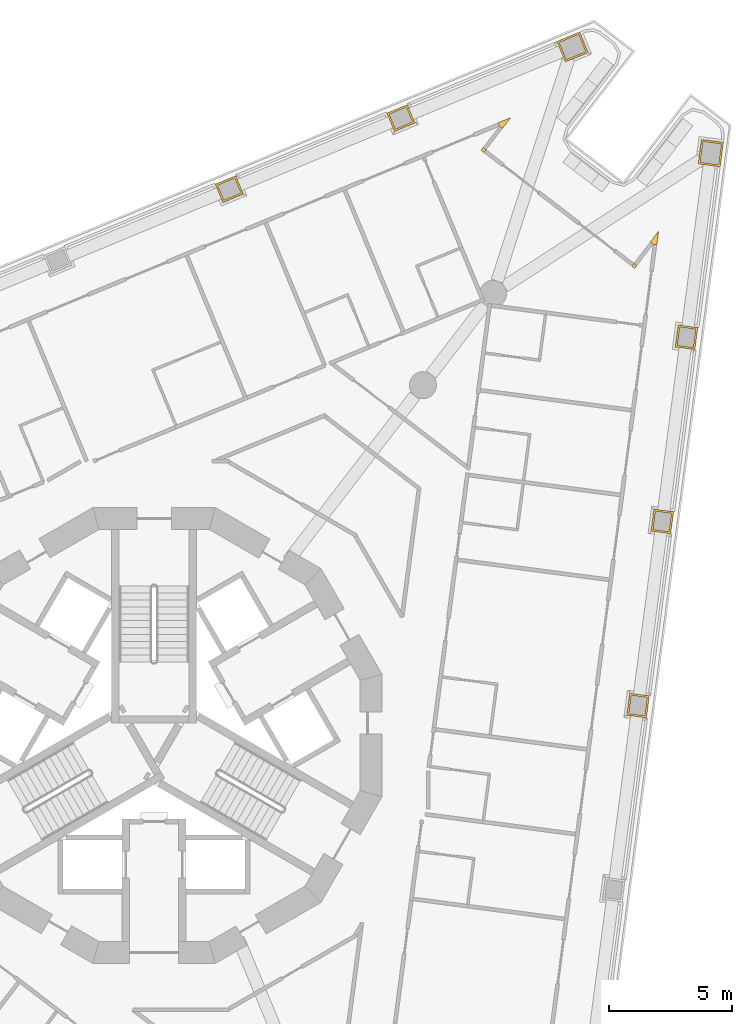
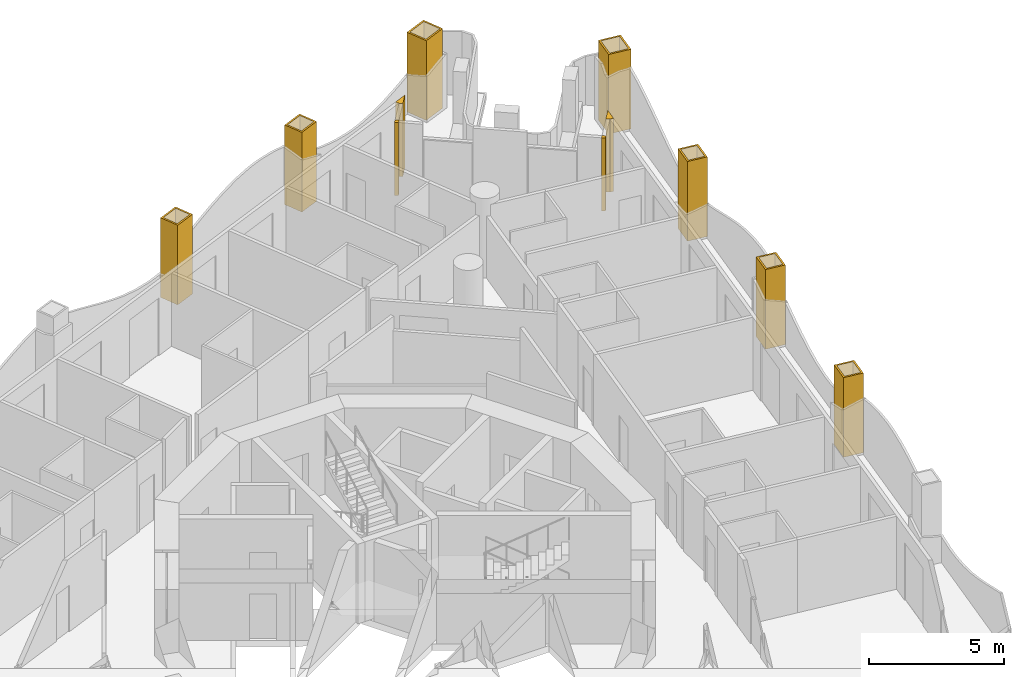
# One storey, part 16 of 17: 11 coverings.
"""IFC4 building model written with IfcOpenShell, lengths in metres."""

from ifc_helpers import new_model, si_unit, direction, frame, origin, place, context, subcontext, project, spatial, polyline, outline, extrude, material, layer, layer_set, type_object, element, save


model = new_model("IFC4")

# Units and contexts
model_context = context("Model", 3, precision=1e-05, world=origin(), true_north=direction((0.0, 1.0)))
body_context = subcontext(model_context, "Body", "Model", "MODEL_VIEW")
ifc_project = project(units=[si_unit("LENGTHUNIT", "METRE"), si_unit("AREAUNIT", "SQUARE_METRE"), si_unit("VOLUMEUNIT", "CUBIC_METRE"), si_unit("PLANEANGLEUNIT", "RADIAN"), si_unit("MASSUNIT", "GRAM", prefix="KILO")], contexts=[model_context])

# Site, building, storey
site_placement = place(None, origin())
site = spatial("IfcSite", under=ifc_project, at=site_placement, CompositionType="ELEMENT")
building_placement = place(site_placement, origin())
building = spatial("IfcBuilding", under=site, at=building_placement, Name="Trine Commons Tower", CompositionType="ELEMENT")
storey_placement = place(building_placement, frame((0.0, 0.0, 149.39990234375)))
storey = spatial("IfcBuildingStorey", under=building, at=storey_placement, Name="L38", CompositionType="ELEMENT", Elevation=149.39990234375)

# Coverings
ifc_material_1 = material(Name="Aluminium-framed insulated wall panel", Category="aluminium")
ifc_layer_1 = layer(ifc_material_1, 0.14990234375)
ifc_layer_set_1 = layer_set([ifc_layer_1], Name="Aluminium-framed insulated wall panel")
covering_type_1 = type_object("IfcCoveringType", Name="Glazing corner post, aluminium", PredefinedType="CLADDING", material=ifc_layer_set_1)
covering_1_placement = place(storey_placement, origin())
element("IfcCovering", 1, at=covering_1_placement, inside=storey, type_object=covering_type_1, Name="Glazing corner post 4-05", PredefinedType="CLADDING", context=body_context, shape_type="SweptSolid", body=[
    extrude(outline(polyline([(94.04248046875, 87.272705078125), (94.04248046875, 87.272705078125), (94.16162109375, 87.181396484375), (94.50244140625, 87.62548828125), (93.985107421875, 87.411376953125), (94.04248046875, 87.272705078125)])), origin(), (0.0, 0.0, 1.0), 3.300048828125),
])
covering_2_placement = place(storey_placement, origin())
element("IfcCovering", 2, at=covering_2_placement, inside=storey, type_object=covering_type_1, Name="Glazing corner post 4-06", PredefinedType="CLADDING", context=body_context, shape_type="SweptSolid", body=[
    extrude(outline(polyline([(93.4091796875, 86.201171875), (93.50048828125, 86.320068359375), (93.381591796875, 86.411376953125), (93.290283203125, 86.29248046875), (93.4091796875, 86.201171875)])), origin(), (0.0, 0.0, 1.0), 3.300048828125),
])
covering_3_placement = place(storey_placement, origin())
element("IfcCovering", 3, at=covering_3_placement, inside=storey, type_object=covering_type_1, Name="Glazing corner post 4-07", PredefinedType="CLADDING", context=body_context, shape_type="SweptSolid", body=[
    extrude(outline(polyline([(99.4228515625, 81.586669921875), (99.5419921875, 81.495361328125), (99.63330078125, 81.614501953125), (99.514404296875, 81.705810546875), (99.4228515625, 81.586669921875)])), origin(), (0.0, 0.0, 1.0), 3.300048828125),
])
covering_4_placement = place(storey_placement, origin())
element("IfcCovering", 4, at=covering_4_placement, inside=storey, type_object=covering_type_1, Name="Glazing corner post 4-08", PredefinedType="CLADDING", context=body_context, shape_type="SweptSolid", body=[
    extrude(outline(polyline([(100.44287109375, 82.456298828125), (100.51611328125, 83.01123046875), (100.17529296875, 82.567138671875), (100.294189453125, 82.475830078125), (100.44287109375, 82.456298828125)])), origin(), (0.0, 0.0, 1.0), 3.300048828125),
])
ifc_material_2 = material(Name="Limestone, honed", Category="masonry")
ifc_layer_2 = layer(ifc_material_2, 0.074951171875)
ifc_layer_set_2 = layer_set([ifc_layer_2], Name="Limestone, honed")
covering_type_2 = type_object("IfcCoveringType", Name="Limestone column cladding 75", PredefinedType="CLADDING", material=ifc_layer_set_2)
covering_5_placement = place(storey_placement, origin())
element("IfcCovering", 5, at=covering_5_placement, inside=storey, type_object=covering_type_2, Name="Limestone pier cladding 4-14", PredefinedType="CLADDING", context=body_context, shape_type="SweptSolid", body=[
    extrude(outline(polyline([(83.62841796875, 84.517822265625), (83.322265625, 85.2568359375), (82.49072265625, 84.912353515625), (82.796875, 84.17333984375), (83.62841796875, 84.517822265625)]), holes=[polyline([(83.5302734375, 84.558349609375), (83.281494140625, 85.158935546875), (82.588623046875, 84.871826171875), (82.83740234375, 84.271240234375), (83.5302734375, 84.558349609375)])]), origin(), (0.0, 0.0, 1.0), 3.60009765625),
])
covering_6_placement = place(storey_placement, origin())
element("IfcCovering", 6, at=covering_6_placement, inside=storey, type_object=covering_type_2, Name="Limestone pier cladding 4-15", PredefinedType="CLADDING", context=body_context, shape_type="SweptSolid", body=[
    extrude(outline(polyline([(90.60546875, 87.40771484375), (90.29931640625, 88.14697265625), (89.4677734375, 87.802490234375), (89.77392578125, 87.063232421875), (90.60546875, 87.40771484375)]), holes=[polyline([(90.50732421875, 87.4482421875), (90.2587890625, 88.048828125), (89.56591796875, 87.761962890625), (89.814453125, 87.161376953125), (90.50732421875, 87.4482421875)])]), origin(), (0.0, 0.0, 1.0), 3.60009765625),
])
covering_7_placement = place(storey_placement, origin())
element("IfcCovering", 7, at=covering_7_placement, inside=storey, type_object=covering_type_2, Name="Limestone pier cladding 4-16", PredefinedType="CLADDING", context=body_context, shape_type="SweptSolid", body=[
    extrude(outline(polyline([(97.647705078125, 90.270751953125), (97.30322265625, 91.102294921875), (96.37939453125, 90.719482421875), (96.723876953125, 89.887939453125), (97.647705078125, 90.270751953125)]), holes=[polyline([(97.5498046875, 90.311279296875), (97.2626953125, 91.004150390625), (96.477294921875, 90.678955078125), (96.764404296875, 89.986083984375), (97.5498046875, 90.311279296875)])]), origin(), (0.0, 0.0, 1.0), 3.60009765625),
])
covering_8_placement = place(storey_placement, origin())
element("IfcCovering", 8, at=covering_8_placement, inside=storey, type_object=covering_type_2, Name="Limestone pier cladding 4-17", PredefinedType="CLADDING", context=body_context, shape_type="SweptSolid", body=[
    extrude(outline(polyline([(103.149169921875, 86.61669921875), (102.2568359375, 86.734130859375), (102.126220703125, 85.74267578125), (103.0185546875, 85.625), (103.149169921875, 86.61669921875)]), holes=[polyline([(103.06494140625, 86.552001953125), (102.3212890625, 86.64990234375), (102.21044921875, 85.80712890625), (102.9541015625, 85.709228515625), (103.06494140625, 86.552001953125)])]), origin(), (0.0, 0.0, 1.0), 3.60009765625),
])
covering_9_placement = place(storey_placement, origin())
element("IfcCovering", 9, at=covering_9_placement, inside=storey, type_object=covering_type_2, Name="Limestone pier cladding 4-18", PredefinedType="CLADDING", context=body_context, shape_type="SweptSolid", body=[
    extrude(outline(polyline([(102.107421875, 79.086181640625), (101.314208984375, 79.190673828125), (101.19677734375, 78.29833984375), (101.98974609375, 78.19384765625), (102.107421875, 79.086181640625)]), holes=[polyline([(102.023193359375, 79.021484375), (101.378662109375, 79.1064453125), (101.28076171875, 78.36279296875), (101.92529296875, 78.278076171875), (102.023193359375, 79.021484375)])]), origin(), (0.0, 0.0, 1.0), 3.60009765625),
])
covering_10_placement = place(storey_placement, origin())
element("IfcCovering", 10, at=covering_10_placement, inside=storey, type_object=covering_type_2, Name="Limestone pier cladding 4-19", PredefinedType="CLADDING", context=body_context, shape_type="SweptSolid", body=[
    extrude(outline(polyline([(101.12158203125, 71.598876953125), (100.328369140625, 71.703369140625), (100.2109375, 70.81103515625), (101.00390625, 70.70654296875), (101.12158203125, 71.598876953125)]), holes=[polyline([(101.037353515625, 71.5341796875), (100.392822265625, 71.619140625), (100.294921875, 70.87548828125), (100.939453125, 70.790771484375), (101.037353515625, 71.5341796875)])]), origin(), (0.0, 0.0, 1.0), 3.60009765625),
])
covering_11_placement = place(storey_placement, origin())
element("IfcCovering", 11, at=covering_11_placement, inside=storey, type_object=covering_type_2, Name="Limestone pier cladding 4-20", PredefinedType="CLADDING", context=body_context, shape_type="SweptSolid", body=[
    extrude(outline(polyline([(100.1357421875, 64.111572265625), (99.3427734375, 64.216064453125), (99.22509765625, 63.32373046875), (100.018310546875, 63.21923828125), (100.1357421875, 64.111572265625)]), holes=[polyline([(100.0517578125, 64.047119140625), (99.4072265625, 64.1318359375), (99.309326171875, 63.38818359375), (99.953857421875, 63.303466796875), (100.0517578125, 64.047119140625)])]), origin(), (0.0, 0.0, 1.0), 3.60009765625),
])

save(model, "model.ifc")
